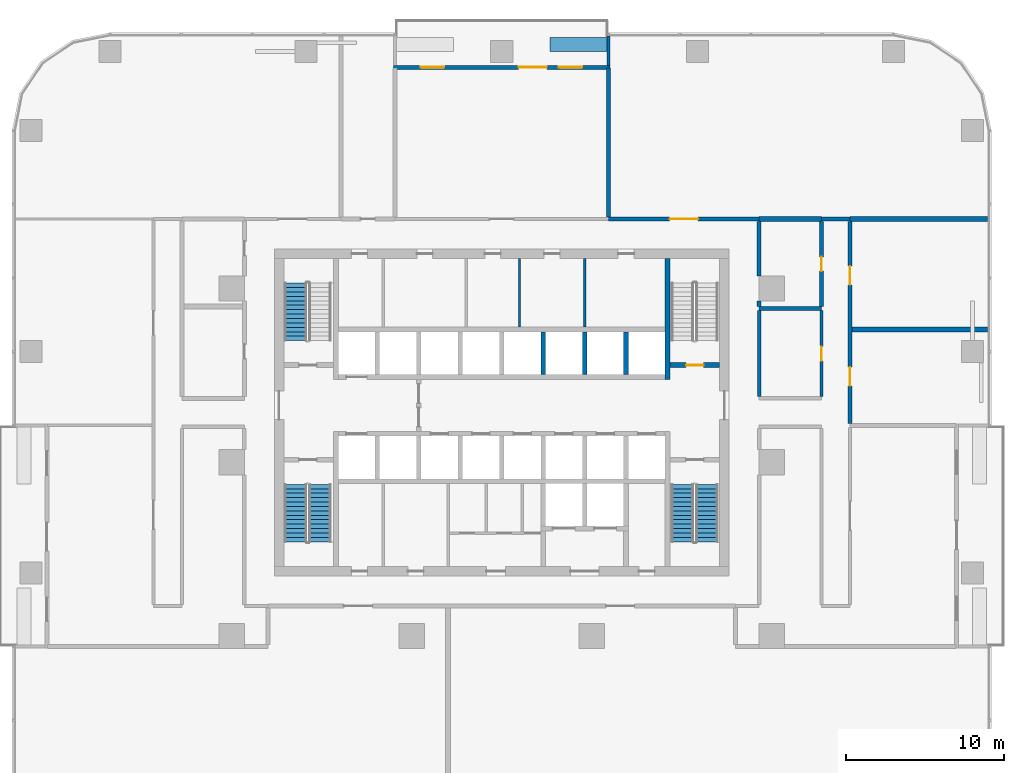
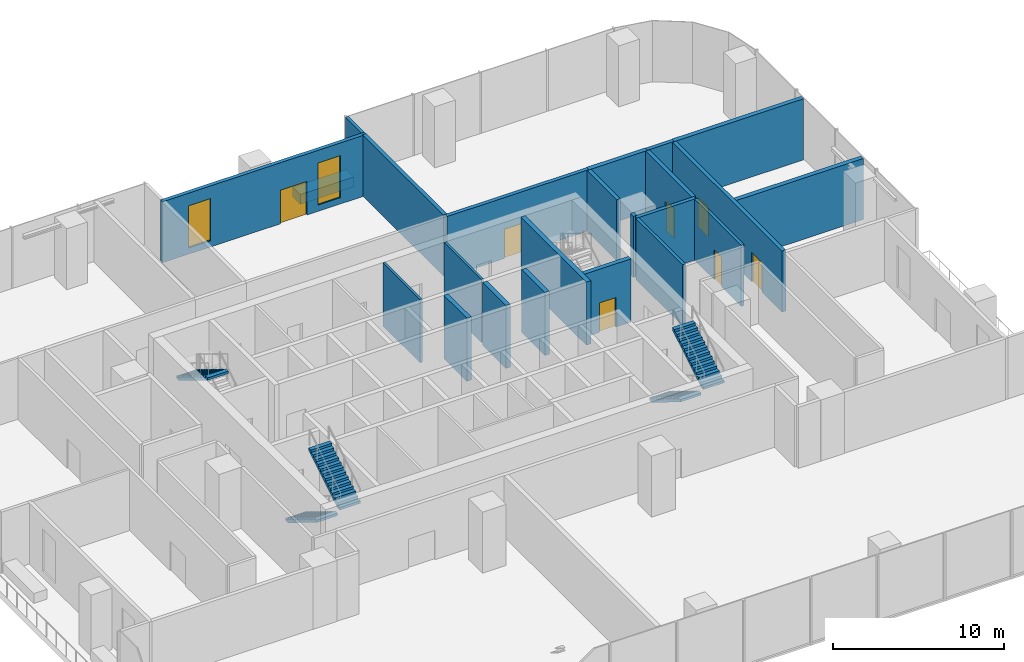
# One storey, part 10 of 14: 23 walls, 7 doors, 5 stair flights, 2 windows, 9 openings, 3 elements without a shape of their own.
"""IFC4 building model written with IfcOpenShell, lengths in metres."""

from ifc_helpers import new_model, si_unit, direction, frame, frame_2d, origin, place, context, subcontext, project, spatial, polyline, rectangle, outline, extrude, material, layer, layer_set, type_object, element, fill, aggregate, save


model = new_model("IFC4")

# Units and contexts
model_context = context("Model", 3, precision=1e-05, world=origin(), true_north=direction((0.0, 1.0)))
body_context = subcontext(model_context, "Body", "Model", "MODEL_VIEW")
ifc_project = project(units=[si_unit("LENGTHUNIT", "METRE"), si_unit("AREAUNIT", "SQUARE_METRE"), si_unit("VOLUMEUNIT", "CUBIC_METRE"), si_unit("PLANEANGLEUNIT", "RADIAN"), si_unit("MASSUNIT", "GRAM", prefix="KILO")], contexts=[model_context])

# Site, building, storey
site_placement = place(None, origin())
site = spatial("IfcSite", under=ifc_project, at=site_placement, CompositionType="ELEMENT")
building_placement = place(site_placement, origin())
building = spatial("IfcBuilding", under=site, at=building_placement, Name="Mopane Tessera Tower", CompositionType="ELEMENT")
storey_placement = place(building_placement, frame((0.0, 0.0, 55.0)))
storey = spatial("IfcBuildingStorey", under=building, at=storey_placement, Name="L10", CompositionType="ELEMENT", Elevation=55.0)

# Walls
ifc_material_1 = material(Name="Fire-rated gypsum board partition")
ifc_layer_1 = layer(ifc_material_1, 0.14990234375)
ifc_layer_set_1 = layer_set([ifc_layer_1], Name="Fire-rated gypsum board partition")
wall_type_1 = type_object("IfcWallType", Name="Core room partition 150 mm", PredefinedType="PARTITIONING", material=ifc_layer_set_1)
for number, where, z_axis, x_axis, name in (
    (1, (1.125, 8.550048828125, 0.0), (0.0, 0.0, 1.0), (0.0, 1.0, 0.0), "L10 Room partition"),
    (2, (5.25, 8.550048828125, 0.0), (0.0, 0.0, 1.0), (0.0, 1.0, 0.0), "L10 Room partition"),
):
    element("IfcWall", number, at=place(storey_placement, frame(where, z_axis=z_axis, x_axis=x_axis)), inside=storey, type_object=wall_type_1, Name=name, PredefinedType="PARTITIONING", context=body_context, shape_type="SweptSolid", body=[
        extrude(rectangle(XDim=4.349853515625, YDim=0.14990234375, at=frame_2d((2.1748046875, 0.0))), origin(), (0.0, 0.0, 1.0), 4.5),
    ])
ifc_material_2 = material(Name="Concrete C60/75", Category="concrete")
ifc_layer_2 = layer(ifc_material_2, 0.300048828125)
ifc_layer_set_2 = layer_set([ifc_layer_2], Name="Concrete C60/75")
wall_type_2 = type_object("IfcWallType", Name="Core spine wall 300 mm", PredefinedType="SHEAR", material=ifc_layer_set_2)
wall_1_placement = place(storey_placement, frame((10.5, 5.25, 0.0), z_axis=(0.0, 0.0, 1.0), x_axis=(0.0, 1.0, 0.0)))
element("IfcWall", 3, at=wall_1_placement, inside=storey, type_object=wall_type_2, Name="L10 Core spine wall", PredefinedType="SHEAR", context=body_context, shape_type="SweptSolid", body=[
    extrude(rectangle(XDim=7.64990234375, YDim=0.300048828125, at=frame_2d((3.824951171875, 0.0))), origin(), (0.0, 0.0, 1.0), 4.5),
])
ifc_material_3 = material(Name="Gypsum board on steel studs, two layers each face, mineral wool infill", Category="steel")
ifc_layer_3 = layer(ifc_material_3, 0.199951171875)
ifc_layer_set_3 = layer_set([ifc_layer_3], Name="Gypsum board on steel studs, two layers each face, mineral wool infill")
wall_type_3 = type_object("IfcWallType", Name="Gypsum board corridor wall 200, rated EI 60", PredefinedType="PARTITIONING", material=ifc_layer_set_3)
wall_2_placement = place(storey_placement, frame((16.300048828125, 4.14990234375, 0.0), z_axis=(0.0, 0.0, 1.0), x_axis=(0.0, 1.0, 0.0)))
element("IfcWall", 4, at=wall_2_placement, inside=storey, type_object=wall_type_3, Name="Partition L10:043", PredefinedType="PARTITIONING", context=body_context, shape_type="SweptSolid", body=[
    extrude(rectangle(XDim=5.4501953125, YDim=0.199951171875, at=frame_2d((2.72509765625, 0.0))), origin(), (0.0, 0.0, 1.0), 4.35009765625),
])

# Wall, opening, door
wall_3_placement = place(storey_placement, frame((20.25, 4.14990234375, 0.0), z_axis=(0.0, 0.0, 1.0), x_axis=(0.0, 1.0, 0.0)))
wall_3 = element("IfcWall", 5, at=wall_3_placement, inside=storey, type_object=wall_type_3, Name="Partition L10:047", PredefinedType="PARTITIONING", context=body_context, shape_type="SweptSolid", body=[
    extrude(rectangle(XDim=5.4501953125, YDim=0.199951171875, at=frame_2d((2.72509765625, 0.0))), origin(), (0.0, 0.0, 1.0), 4.35009765625),
])
opening_1_placement = place(wall_3_placement, frame((2.27490234375, 0.0, 0.0)))
opening_1 = element("IfcOpeningElement", 6, at=opening_1_placement, cuts=wall_3, Name="Opening L10-12", PredefinedType="OPENING", context=body_context, shape_type="SweptSolid", body=[
    extrude(rectangle(XDim=0.89990234375, YDim=2.10009765625, at=frame_2d((0.449951171875, 1.050048828125))), frame((0.0, 0.112060546875, 0.0), z_axis=(0.0, -1.0, 0.0), x_axis=(1.0, 0.0, 0.0)), (0.0, 0.0, 1.0), 0.223876953125),
])
ifc_material_4 = material(Name="Timber veneered steel-framed fire door", Category="steel")
door_type_1 = type_object("IfcDoorType", Name="Fire door FD60 900 x 2100", OperationType="SINGLE_SWING_LEFT", PredefinedType="DOOR", material=ifc_material_4)
door_1_placement = place(opening_1_placement, origin())
door_1 = element("IfcDoor", 7, at=door_1_placement, inside=storey, type_object=door_type_1, Name="Door L10-12", ObjectType="D10A", OperationType="SINGLE_SWING_LEFT", OverallHeight=2.10009765625, OverallWidth=0.89990234375, PredefinedType="DOOR", context=body_context, shape_type="SweptSolid", body=[
    extrude(rectangle(XDim=0.89990234375, YDim=2.10009765625, at=frame_2d((0.449951171875, 1.050048828125))), frame((0.0, 0.02490234375, 0.0), z_axis=(0.0, -1.0, 0.0), x_axis=(1.0, 0.0, 0.0)), (0.0, 0.0, 1.0), 0.050048828125),
])
fill(opening_1, door_1)

ifc_material_5 = material(Name="Concrete C50/60", Category="concrete")
ifc_layer_4 = layer(ifc_material_5, 0.300048828125)
ifc_layer_set_4 = layer_set([ifc_layer_4], Name="Concrete C50/60")
wall_type_4 = type_object("IfcWallType", Name="Lift and stair shaft wall 300 mm", PredefinedType="SOLIDWALL", material=ifc_layer_set_4)
wall_4_placement = place(storey_placement, frame((10.64990234375, 6.14990234375, 0.0), z_axis=(0.0, 0.0, 1.0), x_axis=(1.0, 0.0, 0.0)))
wall_4 = element("IfcWall", 8, at=wall_4_placement, inside=storey, type_object=wall_type_4, Name="L10 Stair enclosure wall", PredefinedType="SOLIDWALL", context=body_context, shape_type="SweptSolid", body=[
    extrude(rectangle(XDim=3.150146484375, YDim=0.300048828125, at=frame_2d((1.5751953125, 0.0))), origin(), (0.0, 0.0, 1.0), 4.5),
])
opening_2_placement = place(wall_4_placement, frame((1.02490234375, 0.0, 0.0)))
opening_2 = element("IfcOpeningElement", 9, at=opening_2_placement, cuts=wall_4, Name="Opening SD1", PredefinedType="OPENING", context=body_context, shape_type="SweptSolid", body=[
    extrude(rectangle(XDim=1.10009765625, YDim=2.10009765625, at=frame_2d((0.550048828125, 1.050048828125))), frame((0.0, 0.162109375, 0.0), z_axis=(0.0, -1.0, 0.0), x_axis=(1.0, 0.0, 0.0)), (0.0, 0.0, 1.0), 0.323974609375),
])
ifc_material_6 = material(Name="Steel fire door", Category="steel")
door_type_2 = type_object("IfcDoorType", Name="Stair fire door 1100 x 2100", OperationType="SINGLE_SWING_LEFT", PredefinedType="DOOR", material=ifc_material_6)
door_2_placement = place(opening_2_placement, origin())
door_2 = element("IfcDoor", 10, at=door_2_placement, inside=storey, type_object=door_type_2, Name="L10 Stair door ST4", OperationType="SINGLE_SWING_RIGHT", OverallHeight=2.10009765625, OverallWidth=1.10009765625, PredefinedType="DOOR", context=body_context, shape_type="SweptSolid", body=[
    extrude(rectangle(XDim=1.10009765625, YDim=2.10009765625, at=frame_2d((0.550048828125, 1.050048828125))), frame((0.0, 0.02490234375, 0.0), z_axis=(0.0, -1.0, 0.0), x_axis=(1.0, 0.0, 0.0)), (0.0, 0.0, 1.0), 0.050048828125),
])
fill(opening_2, door_2)

# Walls
for number, where, z_axis, x_axis, name in (
    (11, (2.625, 5.550048828125, 0.0), (0.0, 0.0, 1.0), (0.0, 1.0, 0.0), "L10 Lift shaft wall"),
    (12, (5.25, 5.550048828125, 0.0), (0.0, 0.0, 1.0), (0.0, 1.0, 0.0), "L10 Lift shaft wall"),
    (13, (7.875, 5.550048828125, 0.0), (0.0, 0.0, 1.0), (0.0, 1.0, 0.0), "L10 Lift shaft wall"),
):
    element("IfcWall", number, at=place(storey_placement, frame(where, z_axis=z_axis, x_axis=x_axis)), inside=storey, type_object=wall_type_4, Name=name, PredefinedType="SOLIDWALL", context=body_context, shape_type="SweptSolid", body=[
        extrude(rectangle(XDim=2.699951171875, YDim=0.300048828125, at=frame_2d((1.35009765625, 0.0))), origin(), (0.0, 0.0, 1.0), 4.5),
    ])
ifc_material_7 = material(Name="Reinforced concrete C32/40 with waterproofing", Category="concrete")
ifc_layer_5 = layer(ifc_material_7, 0.89990234375)
ifc_layer_set_5 = layer_set([ifc_layer_5], Name="Reinforced concrete C32/40 with waterproofing")
wall_type_5 = type_object("IfcWallType", Name="Planter trough 3600 x 900", PredefinedType="STANDARD", material=ifc_layer_set_5)
wall_5_placement = place(storey_placement, frame((6.66357421875, 26.449951171875, 0.0), z_axis=(0.0, 0.0, 1.0), x_axis=(-1.0, 0.0, 0.0)))
element("IfcWall", 14, at=wall_5_placement, inside=storey, type_object=wall_type_5, Name="e:nw:L10:N2:pl0", PredefinedType="STANDARD", context=body_context, shape_type="SweptSolid", body=[
    extrude(rectangle(XDim=3.599853515625, YDim=0.89990234375, at=frame_2d((1.7998046875, 0.0))), origin(), (0.0, 0.0, 1.0), 0.699951171875),
])
ifc_material_8 = material(Name="Plastered concrete blockwork C20/25", Category="masonry")
ifc_layer_6 = layer(ifc_material_8, 0.300048828125)
ifc_layer_set_6 = layer_set([ifc_layer_6], Name="Plastered concrete blockwork C20/25")
wall_type_6 = type_object("IfcWallType", Name="Plastered blockwork separation wall 300, rated EI 120", PredefinedType="PARTITIONING", material=ifc_layer_set_6)
wall_6_placement = place(storey_placement, frame((22.175048828125, 8.39990234375, 0.0), z_axis=(0.0, 0.0, 1.0), x_axis=(1.0, 0.0, 0.0)))
element("IfcWall", 15, at=wall_6_placement, inside=storey, type_object=wall_type_6, Name="Partition L10:015", PredefinedType="PARTITIONING", context=body_context, shape_type="SweptSolid", body=[
    extrude(rectangle(XDim=8.574951171875, YDim=0.300048828125, at=frame_2d((4.28759765625, 0.0))), origin(), (0.0, 0.0, 1.0), 4.35009765625),
])
wall_7_placement = place(storey_placement, frame((16.300048828125, 15.39990234375, 0.0), z_axis=(0.0, 0.0, 1.0), x_axis=(1.0, 0.0, 0.0)))
element("IfcWall", 16, at=wall_7_placement, inside=storey, type_object=wall_type_6, Name="Partition L10:026", PredefinedType="PARTITIONING", context=body_context, shape_type="SweptSolid", body=[
    extrude(rectangle(XDim=3.949951171875, YDim=0.300048828125, at=frame_2d((1.97509765625, 0.0))), origin(), (0.0, 0.0, 1.0), 4.35009765625),
])
wall_8_placement = place(storey_placement, frame((22.050048828125, 15.39990234375, 0.0), z_axis=(0.0, 0.0, 1.0), x_axis=(1.0, 0.0, 0.0)))
element("IfcWall", 17, at=wall_8_placement, inside=storey, type_object=wall_type_6, Name="Partition L10:027", PredefinedType="PARTITIONING", context=body_context, shape_type="SweptSolid", body=[
    extrude(rectangle(XDim=8.699951171875, YDim=0.300048828125, at=frame_2d((4.35009765625, 0.0))), origin(), (0.0, 0.0, 1.0), 4.35009765625),
])
ifc_material_9 = material(Name="Plastered concrete blockwork C20/25", Category="masonry")
ifc_layer_7 = layer(ifc_material_9, 0.25)
ifc_layer_set_7 = layer_set([ifc_layer_7], Name="Plastered concrete blockwork C20/25")
wall_type_7 = type_object("IfcWallType", Name="Plastered blockwork wall 250, rated EI 120", PredefinedType="PARTITIONING", material=ifc_layer_set_7)
wall_9_placement = place(storey_placement, frame((16.300048828125, 9.72509765625, 0.0), z_axis=(0.0, 0.0, 1.0), x_axis=(1.0, 0.0, 0.0)))
element("IfcWall", 18, at=wall_9_placement, inside=storey, type_object=wall_type_7, Name="Partition L10:016", PredefinedType="PARTITIONING", context=body_context, shape_type="SweptSolid", body=[
    extrude(rectangle(XDim=3.949951171875, YDim=0.25, at=frame_2d((1.97509765625, 0.0))), origin(), (0.0, 0.0, 1.0), 4.35009765625),
])

# Wall, opening, door
wall_10_placement = place(storey_placement, frame((6.764892578125, 15.39990234375, 0.0), z_axis=(0.0, 0.0, 1.0), x_axis=(1.0, 0.0, 0.0)))
wall_10 = element("IfcWall", 19, at=wall_10_placement, inside=storey, type_object=wall_type_7, Name="Partition L10:024", PredefinedType="PARTITIONING", context=body_context, shape_type="SweptSolid", body=[
    extrude(rectangle(XDim=9.53515625, YDim=0.25, at=frame_2d((4.767578125, 0.0))), origin(), (0.0, 0.0, 1.0), 4.35009765625),
])
opening_3_placement = place(wall_10_placement, frame((3.867431640625, 0.0, 0.0)))
opening_3 = element("IfcOpeningElement", 20, at=opening_3_placement, cuts=wall_10, Name="Opening L10-10", PredefinedType="OPENING", context=body_context, shape_type="SweptSolid", body=[
    extrude(rectangle(XDim=1.800048828125, YDim=2.10009765625, at=frame_2d((0.89990234375, 1.050048828125))), frame((0.0, 0.136962890625, 0.0), z_axis=(0.0, -1.0, 0.0), x_axis=(1.0, 0.0, 0.0)), (0.0, 0.0, 1.0), 0.27392578125),
])
ifc_material_10 = material(Name="Timber veneered steel-framed fire door", Category="steel")
door_type_3 = type_object("IfcDoorType", Name="Fire door pair FD120 1800 x 2100", OperationType="DOUBLE_DOOR_SINGLE_SWING", PredefinedType="DOOR", material=ifc_material_10)
door_3_placement = place(opening_3_placement, origin())
door_3 = element("IfcDoor", 21, at=door_3_placement, inside=storey, type_object=door_type_3, Name="Door L10-10", ObjectType="D20B", OperationType="DOUBLE_DOOR_SINGLE_SWING", OverallHeight=2.10009765625, OverallWidth=1.800048828125, PredefinedType="DOOR", context=body_context, shape_type="SweptSolid", body=[
    extrude(rectangle(XDim=1.800048828125, YDim=2.10009765625, at=frame_2d((0.89990234375, 1.050048828125))), frame((0.0, 0.02490234375, 0.0), z_axis=(0.0, -1.0, 0.0), x_axis=(1.0, 0.0, 0.0)), (0.0, 0.0, 1.0), 0.050048828125),
])
fill(opening_3, door_3)

# Walls
wall_11_placement = place(storey_placement, frame((20.25, 15.39990234375, 0.0), z_axis=(0.0, 0.0, 1.0), x_axis=(1.0, 0.0, 0.0)))
element("IfcWall", 22, at=wall_11_placement, inside=storey, type_object=wall_type_7, Name="Partition L10:025", PredefinedType="PARTITIONING", context=body_context, shape_type="SweptSolid", body=[
    extrude(rectangle(XDim=1.800048828125, YDim=0.25, at=frame_2d((0.89990234375, 0.0))), origin(), (0.0, 0.0, 1.0), 4.35009765625),
])
wall_12_placement = place(storey_placement, frame((6.764892578125, 15.52490234375, 0.0), z_axis=(0.0, 0.0, 1.0), x_axis=(0.0, 1.0, 0.0)))
element("IfcWall", 23, at=wall_12_placement, inside=storey, type_object=wall_type_7, Name="Partition L10:039", PredefinedType="PARTITIONING", context=body_context, shape_type="SweptSolid", body=[
    extrude(rectangle(XDim=9.425048828125, YDim=0.25, at=frame_2d((4.71240234375, 0.0))), origin(), (0.0, 0.0, 1.0), 4.35009765625),
])
wall_13_placement = place(storey_placement, frame((16.300048828125, 9.85009765625, 0.0), z_axis=(0.0, 0.0, 1.0), x_axis=(0.0, 1.0, 0.0)))
element("IfcWall", 24, at=wall_13_placement, inside=storey, type_object=wall_type_7, Name="Partition L10:044", PredefinedType="PARTITIONING", context=body_context, shape_type="SweptSolid", body=[
    extrude(rectangle(XDim=0.349853515625, YDim=0.25, at=frame_2d((0.1748046875, 0.0))), origin(), (0.0, 0.0, 1.0), 4.35009765625),
])
wall_14_placement = place(storey_placement, frame((16.300048828125, 11.800048828125, 0.0), z_axis=(0.0, 0.0, 1.0), x_axis=(0.0, 1.0, 0.0)))
element("IfcWall", 25, at=wall_14_placement, inside=storey, type_object=wall_type_7, Name="Partition L10:045", PredefinedType="PARTITIONING", context=body_context, shape_type="SweptSolid", body=[
    extrude(rectangle(XDim=3.449951171875, YDim=0.25, at=frame_2d((1.72509765625, 0.0))), origin(), (0.0, 0.0, 1.0), 4.35009765625),
])

# Wall, opening, door
wall_15_placement = place(storey_placement, frame((20.25, 9.85009765625, 0.0), z_axis=(0.0, 0.0, 1.0), x_axis=(0.0, 1.0, 0.0)))
wall_15 = element("IfcWall", 26, at=wall_15_placement, inside=storey, type_object=wall_type_7, Name="Partition L10:048", PredefinedType="PARTITIONING", context=body_context, shape_type="SweptSolid", body=[
    extrude(rectangle(XDim=5.39990234375, YDim=0.25, at=frame_2d((2.699951171875, 0.0))), origin(), (0.0, 0.0, 1.0), 4.35009765625),
])
opening_4_placement = place(wall_15_placement, frame((2.25, 0.0, 0.0)))
opening_4 = element("IfcOpeningElement", 27, at=opening_4_placement, cuts=wall_15, Name="Opening L10-03", PredefinedType="OPENING", context=body_context, shape_type="SweptSolid", body=[
    extrude(rectangle(XDim=0.89990234375, YDim=2.10009765625, at=frame_2d((0.449951171875, 1.050048828125))), frame((0.0, 0.136962890625, 0.0), z_axis=(0.0, -1.0, 0.0), x_axis=(1.0, 0.0, 0.0)), (0.0, 0.0, 1.0), 0.27392578125),
])
ifc_material_11 = material(Name="Timber veneered steel-framed fire door", Category="steel")
door_type_4 = type_object("IfcDoorType", Name="Fire door FD120 900 x 2100", OperationType="SINGLE_SWING_LEFT", PredefinedType="DOOR", material=ifc_material_11)
door_4_placement = place(opening_4_placement, origin())
door_4 = element("IfcDoor", 28, at=door_4_placement, inside=storey, type_object=door_type_4, Name="Door L10-03", ObjectType="D10B", OperationType="SINGLE_SWING_LEFT", OverallHeight=2.10009765625, OverallWidth=0.89990234375, PredefinedType="DOOR", context=body_context, shape_type="SweptSolid", body=[
    extrude(rectangle(XDim=0.89990234375, YDim=2.10009765625, at=frame_2d((0.449951171875, 1.050048828125))), frame((0.0, 0.02490234375, 0.0), z_axis=(0.0, -1.0, 0.0), x_axis=(1.0, 0.0, 0.0)), (0.0, 0.0, 1.0), 0.050048828125),
])
fill(opening_4, door_4)

# Wall, openings, doors
wall_16_placement = place(storey_placement, frame((22.050048828125, 2.4599609375, 0.0), z_axis=(0.0, 0.0, 1.0), x_axis=(0.0, 1.0, 0.0)))
wall_16 = element("IfcWall", 29, at=wall_16_placement, inside=storey, type_object=wall_type_7, Name="Partition L10:050", PredefinedType="PARTITIONING", context=body_context, shape_type="SweptSolid", body=[
    extrude(rectangle(XDim=12.7900390625, YDim=0.25, at=frame_2d((6.39501953125, 0.0))), origin(), (0.0, 0.0, 1.0), 4.35009765625),
])
opening_5_placement = place(wall_16_placement, frame((2.3701171875, 0.0, 0.0)))
opening_5 = element("IfcOpeningElement", 30, at=opening_5_placement, cuts=wall_16, Name="Opening L10-06", PredefinedType="OPENING", context=body_context, shape_type="SweptSolid", body=[
    extrude(rectangle(XDim=1.199951171875, YDim=2.10009765625, at=frame_2d((0.60009765625, 1.050048828125))), frame((0.0, 0.136962890625, 0.0), z_axis=(0.0, -1.0, 0.0), x_axis=(1.0, 0.0, 0.0)), (0.0, 0.0, 1.0), 0.27392578125),
])
opening_6_placement = place(wall_16_placement, frame((8.764892578125, 0.0, 0.0)))
opening_6 = element("IfcOpeningElement", 31, at=opening_6_placement, cuts=wall_16, Name="Opening L10-08", PredefinedType="OPENING", context=body_context, shape_type="SweptSolid", body=[
    extrude(rectangle(XDim=1.199951171875, YDim=2.10009765625, at=frame_2d((0.60009765625, 1.050048828125))), frame((0.0, 0.136962890625, 0.0), z_axis=(0.0, -1.0, 0.0), x_axis=(1.0, 0.0, 0.0)), (0.0, 0.0, 1.0), 0.27392578125),
])
ifc_material_12 = material(Name="Timber veneered steel-framed fire door", Category="steel")
door_type_5 = type_object("IfcDoorType", Name="Fire door FD120 1200 x 2100", OperationType="SINGLE_SWING_LEFT", PredefinedType="DOOR", material=ifc_material_12)
door_5_placement = place(opening_5_placement, origin())
door_5 = element("IfcDoor", 32, at=door_5_placement, inside=storey, type_object=door_type_5, Name="Door L10-06", ObjectType="D15B", OperationType="SINGLE_SWING_LEFT", OverallHeight=2.10009765625, OverallWidth=1.199951171875, PredefinedType="DOOR", context=body_context, shape_type="SweptSolid", body=[
    extrude(rectangle(XDim=1.199951171875, YDim=2.10009765625, at=frame_2d((0.60009765625, 1.050048828125))), frame((0.0, 0.02490234375, 0.0), z_axis=(0.0, -1.0, 0.0), x_axis=(1.0, 0.0, 0.0)), (0.0, 0.0, 1.0), 0.050048828125),
])
fill(opening_5, door_5)
door_6_placement = place(opening_6_placement, origin())
door_6 = element("IfcDoor", 33, at=door_6_placement, inside=storey, type_object=door_type_5, Name="Door L10-08", ObjectType="D15B", OperationType="SINGLE_SWING_LEFT", OverallHeight=2.10009765625, OverallWidth=1.199951171875, PredefinedType="DOOR", context=body_context, shape_type="SweptSolid", body=[
    extrude(rectangle(XDim=1.199951171875, YDim=2.10009765625, at=frame_2d((0.60009765625, 1.050048828125))), frame((0.0, 0.02490234375, 0.0), z_axis=(0.0, -1.0, 0.0), x_axis=(1.0, 0.0, 0.0)), (0.0, 0.0, 1.0), 0.050048828125),
])
fill(opening_6, door_6)

# Wall
ifc_material_13 = material(Name="Blockwork with glazed tile facing", Category="masonry")
ifc_layer_8 = layer(ifc_material_13, 0.199951171875)
ifc_layer_set_8 = layer_set([ifc_layer_8], Name="Blockwork with glazed tile facing")
wall_type_8 = type_object("IfcWallType", Name="Terrace cheek wall 200", PredefinedType="STANDARD", material=ifc_layer_set_8)
wall_17_placement = place(storey_placement, frame((6.763671875, 27.0, 0.0), z_axis=(0.0, 0.0, 1.0), x_axis=(0.0, -1.0, 0.0)))
element("IfcWall", 34, at=wall_17_placement, inside=storey, type_object=wall_type_8, Name="e:nw:L10:N2:cheeka", PredefinedType="STANDARD", context=body_context, shape_type="SweptSolid", body=[
    extrude(rectangle(XDim=1.875, YDim=0.199951171875, at=frame_2d((0.9375, 0.0))), origin(), (0.0, 0.0, 1.0), 4.35009765625),
])

# Wall, openings, windows, door
ifc_material_14 = material(Name="Blockwork with ultramarine glazed tile facing", Category="masonry")
ifc_layer_9 = layer(ifc_material_14, 0.25)
ifc_layer_set_9 = layer_set([ifc_layer_9], Name="Blockwork with ultramarine glazed tile facing")
wall_type_9 = type_object("IfcWallType", Name="Tile-clad external wall 250, ultramarine", PredefinedType="STANDARD", material=ifc_layer_set_9)
wall_18_placement = place(storey_placement, frame((6.863525390625, 25.0, 0.0), z_axis=(0.0, 0.0, 1.0), x_axis=(-1.0, 0.0, 0.0)))
wall_18 = element("IfcWall", 35, at=wall_18_placement, inside=storey, type_object=wall_type_9, Name="e:nw:L10:N2:back", PredefinedType="STANDARD", context=body_context, shape_type="SweptSolid", body=[
    extrude(rectangle(XDim=13.72705078125, YDim=0.25, at=frame_2d((6.863525390625, 0.0))), origin(), (0.0, 0.0, 1.0), 4.35009765625),
])
opening_7_placement = place(wall_18_placement, frame((1.75, 0.0, 0.449951171875)))
opening_7 = element("IfcOpeningElement", 36, at=opening_7_placement, cuts=wall_18, Name="Opening NW102A", PredefinedType="OPENING", context=body_context, shape_type="SweptSolid", body=[
    extrude(rectangle(XDim=1.5, YDim=3.0, at=frame_2d((0.75, 1.5))), frame((0.0, 0.136962890625, 0.0), z_axis=(0.0, -1.0, 0.0), x_axis=(1.0, 0.0, 0.0)), (0.0, 0.0, 1.0), 0.27392578125),
])
opening_8_placement = place(wall_18_placement, frame((4.0, 0.0, 0.0)))
opening_8 = element("IfcOpeningElement", 37, at=opening_8_placement, cuts=wall_18, Name="Opening ND102", PredefinedType="OPENING", context=body_context, shape_type="SweptSolid", body=[
    extrude(rectangle(XDim=1.800048828125, YDim=2.39990234375, at=frame_2d((0.89990234375, 1.199951171875))), frame((0.0, 0.136962890625, 0.0), z_axis=(0.0, -1.0, 0.0), x_axis=(1.0, 0.0, 0.0)), (0.0, 0.0, 1.0), 0.27392578125),
])
opening_9_placement = place(wall_18_placement, frame((10.5, 0.0, 0.449951171875)))
opening_9 = element("IfcOpeningElement", 38, at=opening_9_placement, cuts=wall_18, Name="Opening NW102B", PredefinedType="OPENING", context=body_context, shape_type="SweptSolid", body=[
    extrude(rectangle(XDim=1.5, YDim=3.0, at=frame_2d((0.75, 1.5))), frame((0.0, 0.136962890625, 0.0), z_axis=(0.0, -1.0, 0.0), x_axis=(1.0, 0.0, 0.0)), (0.0, 0.0, 1.0), 0.27392578125),
])
ifc_material_15 = material(Name="Clear laminated glass", Category="glass")
window_type = type_object("IfcWindowType", Name="Fixed window 1500 x 3000", PartitioningType="SINGLE_PANEL", PredefinedType="WINDOW", material=ifc_material_15)
window_1_placement = place(opening_7_placement, origin())
window_1 = element("IfcWindow", 39, at=window_1_placement, inside=storey, type_object=window_type, Name="e:nw:L10:N2:win0", OverallHeight=3.0, OverallWidth=1.5, PartitioningType="SINGLE_PANEL", PredefinedType="WINDOW", context=body_context, shape_type="SweptSolid", body=[
    extrude(rectangle(XDim=1.5, YDim=3.0, at=frame_2d((0.75, 1.5))), frame((0.0, 0.030029296875, 0.0), z_axis=(0.0, -1.0, 0.0), x_axis=(1.0, 0.0, 0.0)), (0.0, 0.0, 1.0), 0.06005859375),
])
fill(opening_7, window_1)
window_2_placement = place(opening_9_placement, origin())
window_2 = element("IfcWindow", 40, at=window_2_placement, inside=storey, type_object=window_type, Name="e:nw:L10:N2:win2", OverallHeight=3.0, OverallWidth=1.5, PartitioningType="SINGLE_PANEL", PredefinedType="WINDOW", context=body_context, shape_type="SweptSolid", body=[
    extrude(rectangle(XDim=1.5, YDim=3.0, at=frame_2d((0.75, 1.5))), frame((0.0, 0.030029296875, 0.0), z_axis=(0.0, -1.0, 0.0), x_axis=(1.0, 0.0, 0.0)), (0.0, 0.0, 1.0), 0.06005859375),
])
fill(opening_9, window_2)
ifc_material_16 = material(Name="Aluminium and clear glass", Category="aluminium")
door_type_6 = type_object("IfcDoorType", Name="Terrace double door 1800 x 2400", OperationType="DOUBLE_DOOR_SINGLE_SWING", PredefinedType="DOOR", material=ifc_material_16)
door_7_placement = place(opening_8_placement, origin())
door_7 = element("IfcDoor", 41, at=door_7_placement, inside=storey, type_object=door_type_6, Name="e:nw:L10:N2:door", ObjectType="D1", OperationType="DOUBLE_DOOR_SINGLE_SWING", OverallHeight=2.39990234375, OverallWidth=1.800048828125, PredefinedType="DOOR", context=body_context, shape_type="SweptSolid", body=[
    extrude(rectangle(XDim=1.800048828125, YDim=2.39990234375, at=frame_2d((0.89990234375, 1.199951171875))), frame((0.0, 0.02490234375, 0.0), z_axis=(0.0, -1.0, 0.0), x_axis=(1.0, 0.0, 0.0)), (0.0, 0.0, 1.0), 0.050048828125),
])
fill(opening_8, door_7)

# Stair, stair flights
ifc_material_17 = material(Name="Concrete C50/60", Category="concrete")
stair_type = type_object("IfcStairType", Name="Escape stair 1400 mm, riser 171 mm", PredefinedType="HALF_TURN_STAIR", material=ifc_material_17)
stair_1_placement = place(storey_placement, origin())
stair_1 = element("IfcStair", 42, at=stair_1_placement, inside=storey, type_object=stair_type, Name="L10 Escape stair south-west", PredefinedType="HALF_TURN_STAIR")
ifc_material_18 = material(Name="Concrete C50/60", Category="concrete")
stair_flight_type = type_object("IfcStairFlightType", Name="Escape stair flight 1400 mm", PredefinedType="STRAIGHT", material=ifc_material_18)
stair_flight_1_placement = place(storey_placement, frame((-13.050048828125, -1.39990234375, 0.0), z_axis=(0.0, 0.0, 1.0), x_axis=(0.0, -1.0, 0.0)))
stair_flight_1 = element("IfcStairFlight", 43, at=stair_flight_1_placement, type_object=stair_flight_type, Name="ST1 flight 1", NumberOfRisers=14, NumberOfTreads=13, PredefinedType="STRAIGHT", RiserHeight=0.171428571, TreadLength=0.28, context=body_context, shape_type="SweptSolid", body=[
    extrude(outline(polyline([(0.0, 0.0), (0.0, 0.17138671875), (0.280029296875, 0.17138671875), (0.280029296875, 0.3427734375), (0.56005859375, 0.3427734375), (0.56005859375, 0.514404296875), (0.840087890625, 0.514404296875), (0.840087890625, 0.685791015625), (1.1201171875, 0.685791015625), (1.1201171875, 0.857177734375), (1.39990234375, 0.857177734375), (1.39990234375, 1.028564453125), (1.679931640625, 1.028564453125), (1.679931640625, 1.199951171875), (1.9599609375, 1.199951171875), (1.9599609375, 1.371337890625), (2.239990234375, 1.371337890625), (2.239990234375, 1.54296875), (2.52001953125, 1.54296875), (2.52001953125, 1.71435546875), (2.800048828125, 1.71435546875), (2.800048828125, 1.8857421875), (3.080078125, 1.8857421875), (3.080078125, 2.05712890625), (3.360107421875, 2.05712890625), (3.360107421875, 2.228515625), (3.639892578125, 2.228515625), (3.639892578125, 2.39990234375), (3.639892578125, 2.052734375), (0.287109375, 0.0), (0.0, 0.0)])), frame((0.0, 0.699951171875, 0.0), z_axis=(0.0, -1.0, 0.0), x_axis=(1.0, 0.0, 0.0)), (0.0, 0.0, 1.0), 1.39990234375),
])
stair_flight_2_placement = place(storey_placement, frame((-11.5, -5.0400390625, 2.39990234375), z_axis=(0.0, 0.0, 1.0), x_axis=(0.0, 1.0, 0.0)))
stair_flight_2 = element("IfcStairFlight", 44, at=stair_flight_2_placement, type_object=stair_flight_type, Name="ST1 flight 2", NumberOfRisers=14, NumberOfTreads=13, PredefinedType="STRAIGHT", RiserHeight=0.171428571, TreadLength=0.28, context=body_context, shape_type="SweptSolid", body=[
    extrude(outline(polyline([(0.0, 0.0), (0.0, 0.17138671875), (0.280029296875, 0.17138671875), (0.280029296875, 0.3427734375), (0.56005859375, 0.3427734375), (0.56005859375, 0.514404296875), (0.840087890625, 0.514404296875), (0.840087890625, 0.685791015625), (1.1201171875, 0.685791015625), (1.1201171875, 0.857177734375), (1.39990234375, 0.857177734375), (1.39990234375, 1.028564453125), (1.679931640625, 1.028564453125), (1.679931640625, 1.199951171875), (1.9599609375, 1.199951171875), (1.9599609375, 1.371337890625), (2.239990234375, 1.371337890625), (2.239990234375, 1.54296875), (2.52001953125, 1.54296875), (2.52001953125, 1.71435546875), (2.800048828125, 1.71435546875), (2.800048828125, 1.8857421875), (3.080078125, 1.8857421875), (3.080078125, 2.05712890625), (3.360107421875, 2.05712890625), (3.360107421875, 2.228515625), (3.639892578125, 2.228515625), (3.639892578125, 2.39990234375), (3.639892578125, 2.052734375), (0.287109375, 0.0), (0.0, 0.0)])), frame((0.0, 0.699951171875, 0.0), z_axis=(0.0, -1.0, 0.0), x_axis=(1.0, 0.0, 0.0)), (0.0, 0.0, 1.0), 1.39990234375),
])
aggregate(stair_1, [stair_flight_1, stair_flight_2])

# Stair, stair flight
stair_2_placement = place(storey_placement, origin())
stair_2 = element("IfcStair", 45, at=stair_2_placement, inside=storey, type_object=stair_type, Name="L10 Escape stair north-west", PredefinedType="HALF_TURN_STAIR")
stair_flight_3_placement = place(storey_placement, frame((-13.050048828125, 11.340087890625, 2.39990234375), z_axis=(0.0, 0.0, 1.0), x_axis=(0.0, -1.0, 0.0)))
stair_flight_3 = element("IfcStairFlight", 46, at=stair_flight_3_placement, type_object=stair_flight_type, Name="ST2 flight 2", NumberOfRisers=14, NumberOfTreads=13, PredefinedType="STRAIGHT", RiserHeight=0.171428571, TreadLength=0.28, context=body_context, shape_type="SweptSolid", body=[
    extrude(outline(polyline([(0.0, 0.0), (0.0, 0.17138671875), (0.280029296875, 0.17138671875), (0.280029296875, 0.3427734375), (0.56005859375, 0.3427734375), (0.56005859375, 0.514404296875), (0.840087890625, 0.514404296875), (0.840087890625, 0.685791015625), (1.1201171875, 0.685791015625), (1.1201171875, 0.857177734375), (1.39990234375, 0.857177734375), (1.39990234375, 1.028564453125), (1.679931640625, 1.028564453125), (1.679931640625, 1.199951171875), (1.9599609375, 1.199951171875), (1.9599609375, 1.371337890625), (2.239990234375, 1.371337890625), (2.239990234375, 1.54296875), (2.52001953125, 1.54296875), (2.52001953125, 1.71435546875), (2.800048828125, 1.71435546875), (2.800048828125, 1.8857421875), (3.080078125, 1.8857421875), (3.080078125, 2.05712890625), (3.360107421875, 2.05712890625), (3.360107421875, 2.228515625), (3.639892578125, 2.228515625), (3.639892578125, 2.39990234375), (3.639892578125, 2.052734375), (0.287109375, 0.0), (0.0, 0.0)])), frame((0.0, 0.699951171875, 0.0), z_axis=(0.0, -1.0, 0.0), x_axis=(1.0, 0.0, 0.0)), (0.0, 0.0, 1.0), 1.39990234375),
])
aggregate(stair_2, [stair_flight_3])

# Stair, stair flights
stair_3_placement = place(storey_placement, origin())
stair_3 = element("IfcStair", 47, at=stair_3_placement, inside=storey, type_object=stair_type, Name="L10 Escape stair south-east", PredefinedType="HALF_TURN_STAIR")
stair_flight_4_placement = place(storey_placement, frame((11.449951171875, -1.39990234375, 0.0), z_axis=(0.0, 0.0, 1.0), x_axis=(0.0, -1.0, 0.0)))
stair_flight_4 = element("IfcStairFlight", 48, at=stair_flight_4_placement, type_object=stair_flight_type, Name="ST3 flight 1", NumberOfRisers=14, NumberOfTreads=13, PredefinedType="STRAIGHT", RiserHeight=0.171428571, TreadLength=0.28, context=body_context, shape_type="SweptSolid", body=[
    extrude(outline(polyline([(0.0, 0.0), (0.0, 0.17138671875), (0.280029296875, 0.17138671875), (0.280029296875, 0.3427734375), (0.56005859375, 0.3427734375), (0.56005859375, 0.514404296875), (0.840087890625, 0.514404296875), (0.840087890625, 0.685791015625), (1.1201171875, 0.685791015625), (1.1201171875, 0.857177734375), (1.39990234375, 0.857177734375), (1.39990234375, 1.028564453125), (1.679931640625, 1.028564453125), (1.679931640625, 1.199951171875), (1.9599609375, 1.199951171875), (1.9599609375, 1.371337890625), (2.239990234375, 1.371337890625), (2.239990234375, 1.54296875), (2.52001953125, 1.54296875), (2.52001953125, 1.71435546875), (2.800048828125, 1.71435546875), (2.800048828125, 1.8857421875), (3.080078125, 1.8857421875), (3.080078125, 2.05712890625), (3.360107421875, 2.05712890625), (3.360107421875, 2.228515625), (3.639892578125, 2.228515625), (3.639892578125, 2.39990234375), (3.639892578125, 2.052734375), (0.287109375, 0.0), (0.0, 0.0)])), frame((0.0, 0.699951171875, 0.0), z_axis=(0.0, -1.0, 0.0), x_axis=(1.0, 0.0, 0.0)), (0.0, 0.0, 1.0), 1.39990234375),
])
stair_flight_5_placement = place(storey_placement, frame((13.0, -5.0400390625, 2.39990234375), z_axis=(0.0, 0.0, 1.0), x_axis=(0.0, 1.0, 0.0)))
stair_flight_5 = element("IfcStairFlight", 49, at=stair_flight_5_placement, type_object=stair_flight_type, Name="ST3 flight 2", NumberOfRisers=14, NumberOfTreads=13, PredefinedType="STRAIGHT", RiserHeight=0.171428571, TreadLength=0.28, context=body_context, shape_type="SweptSolid", body=[
    extrude(outline(polyline([(0.0, 0.0), (0.0, 0.17138671875), (0.280029296875, 0.17138671875), (0.280029296875, 0.3427734375), (0.56005859375, 0.3427734375), (0.56005859375, 0.514404296875), (0.840087890625, 0.514404296875), (0.840087890625, 0.685791015625), (1.1201171875, 0.685791015625), (1.1201171875, 0.857177734375), (1.39990234375, 0.857177734375), (1.39990234375, 1.028564453125), (1.679931640625, 1.028564453125), (1.679931640625, 1.199951171875), (1.9599609375, 1.199951171875), (1.9599609375, 1.371337890625), (2.239990234375, 1.371337890625), (2.239990234375, 1.54296875), (2.52001953125, 1.54296875), (2.52001953125, 1.71435546875), (2.800048828125, 1.71435546875), (2.800048828125, 1.8857421875), (3.080078125, 1.8857421875), (3.080078125, 2.05712890625), (3.360107421875, 2.05712890625), (3.360107421875, 2.228515625), (3.639892578125, 2.228515625), (3.639892578125, 2.39990234375), (3.639892578125, 2.052734375), (0.287109375, 0.0), (0.0, 0.0)])), frame((0.0, 0.699951171875, 0.0), z_axis=(0.0, -1.0, 0.0), x_axis=(1.0, 0.0, 0.0)), (0.0, 0.0, 1.0), 1.39990234375),
])
aggregate(stair_3, [stair_flight_4, stair_flight_5])

save(model, "model.ifc")
